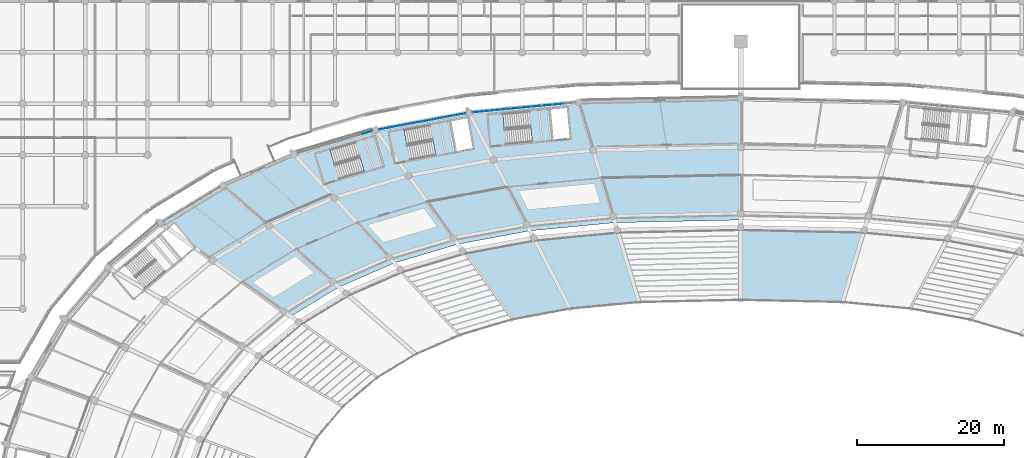
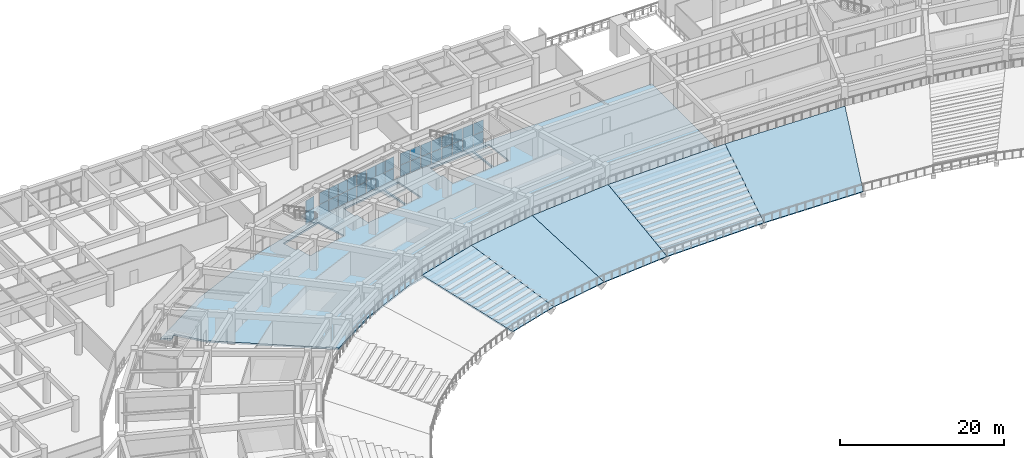
# One storey, part 89 of 152: 34 plates, 9 slabs, 6 elements without a shape of their own.
"""IFC4 building model written with IfcOpenShell, lengths in metres."""

from ifc_helpers import new_model, si_unit, direction, frame, origin, origin_2d, place, context, subcontext, project, spatial, polyline, rectangle, outline, extrude, material, layer, layer_set, type_object, element, aggregate, save


model = new_model("IFC4")

# Units and contexts
model_context = context("Model", 3, precision=1e-05, world=origin(), true_north=direction((0.0, 1.0)))
body_context = subcontext(model_context, "Body", "Model", "MODEL_VIEW")
ifc_project = project(units=[si_unit("LENGTHUNIT", "METRE"), si_unit("AREAUNIT", "SQUARE_METRE"), si_unit("VOLUMEUNIT", "CUBIC_METRE"), si_unit("PLANEANGLEUNIT", "RADIAN"), si_unit("MASSUNIT", "GRAM", prefix="KILO")], contexts=[model_context])

# Site, building, storey
site_placement = place(None, origin())
site = spatial("IfcSite", under=ifc_project, at=site_placement, CompositionType="ELEMENT")
building_placement = place(site_placement, origin())
building = spatial("IfcBuilding", under=site, at=building_placement, Name="Mphavela Belvedere Stadium", CompositionType="ELEMENT")
storey_placement = place(building_placement, frame((0.0, 0.0, 5.39990234375)))
storey = spatial("IfcBuildingStorey", under=building, at=storey_placement, Name="L01", CompositionType="ELEMENT", Elevation=5.39990234375)

# Curtain wall, plates
ifc_material_1 = material(Name="Anodised bronze unitised curtain wall framing")
ifc_layer_1 = layer(ifc_material_1, 0.18505859375)
ifc_layer_set_1 = layer_set([ifc_layer_1], Name="Anodised bronze unitised curtain wall framing")
curtain_wall_type_1 = type_object("IfcCurtainWallType", Name="CW-UNIT-02", PredefinedType="USERDEFINED", material=ifc_layer_set_1)
curtain_wall_1_placement = place(storey_placement, origin())
curtain_wall_1 = element("IfcCurtainWall", 1, at=curtain_wall_1_placement, inside=storey, type_object=curtain_wall_type_1, Name="Belvedere colonnade curtain wall L01-14", ObjectType="UNITISED CURTAIN WALL", PredefinedType="USERDEFINED")
ifc_material_2 = material(Name="Solar-control double glazing", Category="glass")
ifc_layer_2 = layer(ifc_material_2, 0.031982421875)
ifc_layer_set_2 = layer_set([ifc_layer_2], Name="Solar-control double glazing")
plate_type = type_object("IfcPlateType", Name="CWP-SOLAR-GLASS", PredefinedType="CURTAIN_PANEL", material=ifc_layer_set_2)
plate_1_placement = place(storey_placement, frame((90.111572265625, 159.92919921875, 0.06005859375), z_axis=(0.0, 0.0, 1.0), x_axis=(-0.99548468981, -0.094922243726, 0.0)))
plate_1 = element("IfcPlate", 2, at=plate_1_placement, type_object=plate_type, Name="CW-02 panel 2.1", PredefinedType="CURTAIN_PANEL", context=body_context, shape_type="SweptSolid", body=[
    extrude(rectangle(XDim=1.510498046875, YDim=0.031982421875, at=origin_2d()), origin(), (0.0, 0.0, 1.0), 1.695068359375),
])
plate_2_placement = place(storey_placement, frame((90.111572265625, 159.92919921875, 1.81494140625), z_axis=(0.0, 0.0, 1.0), x_axis=(-0.99548468981, -0.094922243726, 0.0)))
plate_2 = element("IfcPlate", 3, at=plate_2_placement, type_object=plate_type, Name="CW-02 panel 2.2", PredefinedType="CURTAIN_PANEL", context=body_context, shape_type="SweptSolid", body=[
    extrude(rectangle(XDim=1.510498046875, YDim=0.031982421875, at=origin_2d()), origin(), (0.0, 0.0, 1.0), 1.695068359375),
])
plate_3_placement = place(storey_placement, frame((88.543212890625, 159.77978515625, 0.06005859375), z_axis=(0.0, 0.0, 1.0), x_axis=(-0.99548468981, -0.094922243726, 0.0)))
plate_3 = element("IfcPlate", 4, at=plate_3_placement, type_object=plate_type, Name="CW-02 panel 3.1", PredefinedType="CURTAIN_PANEL", context=body_context, shape_type="SweptSolid", body=[
    extrude(rectangle(XDim=1.510498046875, YDim=0.031982421875, at=origin_2d()), origin(), (0.0, 0.0, 1.0), 1.695068359375),
])
plate_4_placement = place(storey_placement, frame((88.543212890625, 159.77978515625, 1.81494140625), z_axis=(0.0, 0.0, 1.0), x_axis=(-0.99548468981, -0.094922243726, 0.0)))
plate_4 = element("IfcPlate", 5, at=plate_4_placement, type_object=plate_type, Name="CW-02 panel 3.2", PredefinedType="CURTAIN_PANEL", context=body_context, shape_type="SweptSolid", body=[
    extrude(rectangle(XDim=1.510498046875, YDim=0.031982421875, at=origin_2d()), origin(), (0.0, 0.0, 1.0), 1.695068359375),
])
plate_5_placement = place(storey_placement, frame((86.974853515625, 159.630126953125, 0.06005859375), z_axis=(0.0, 0.0, 1.0), x_axis=(-0.99548468981, -0.094922243726, 0.0)))
plate_5 = element("IfcPlate", 6, at=plate_5_placement, type_object=plate_type, Name="CW-02 panel 4.1", PredefinedType="CURTAIN_PANEL", context=body_context, shape_type="SweptSolid", body=[
    extrude(rectangle(XDim=1.510498046875, YDim=0.031982421875, at=origin_2d()), origin(), (0.0, 0.0, 1.0), 1.695068359375),
])
plate_6_placement = place(storey_placement, frame((86.974853515625, 159.630126953125, 1.81494140625), z_axis=(0.0, 0.0, 1.0), x_axis=(-0.99548468981, -0.094922243726, 0.0)))
plate_6 = element("IfcPlate", 7, at=plate_6_placement, type_object=plate_type, Name="CW-02 panel 4.2", PredefinedType="CURTAIN_PANEL", context=body_context, shape_type="SweptSolid", body=[
    extrude(rectangle(XDim=1.510498046875, YDim=0.031982421875, at=origin_2d()), origin(), (0.0, 0.0, 1.0), 1.695068359375),
])
plate_7_placement = place(storey_placement, frame((85.40625, 159.480712890625, 0.06005859375), z_axis=(0.0, 0.0, 1.0), x_axis=(-0.99548468981, -0.094922243726, 0.0)))
plate_7 = element("IfcPlate", 8, at=plate_7_placement, type_object=plate_type, Name="CW-02 panel 5.1", PredefinedType="CURTAIN_PANEL", context=body_context, shape_type="SweptSolid", body=[
    extrude(rectangle(XDim=1.510498046875, YDim=0.031982421875, at=origin_2d()), origin(), (0.0, 0.0, 1.0), 1.695068359375),
])
plate_8_placement = place(storey_placement, frame((85.40625, 159.480712890625, 1.81494140625), z_axis=(0.0, 0.0, 1.0), x_axis=(-0.99548468981, -0.094922243726, 0.0)))
plate_8 = element("IfcPlate", 9, at=plate_8_placement, type_object=plate_type, Name="CW-02 panel 5.2", PredefinedType="CURTAIN_PANEL", context=body_context, shape_type="SweptSolid", body=[
    extrude(rectangle(XDim=1.510498046875, YDim=0.031982421875, at=origin_2d()), origin(), (0.0, 0.0, 1.0), 1.695068359375),
])
plate_9_placement = place(storey_placement, frame((83.837890625, 159.3310546875, 0.06005859375), z_axis=(0.0, 0.0, 1.0), x_axis=(-0.99548468981, -0.094922243726, 0.0)))
plate_9 = element("IfcPlate", 10, at=plate_9_placement, type_object=plate_type, Name="CW-02 panel 6.1", PredefinedType="CURTAIN_PANEL", context=body_context, shape_type="SweptSolid", body=[
    extrude(rectangle(XDim=1.510498046875, YDim=0.031982421875, at=origin_2d()), origin(), (0.0, 0.0, 1.0), 1.695068359375),
])
plate_10_placement = place(storey_placement, frame((83.837890625, 159.3310546875, 1.81494140625), z_axis=(0.0, 0.0, 1.0), x_axis=(-0.99548468981, -0.094922243726, 0.0)))
plate_10 = element("IfcPlate", 11, at=plate_10_placement, type_object=plate_type, Name="CW-02 panel 6.2", PredefinedType="CURTAIN_PANEL", context=body_context, shape_type="SweptSolid", body=[
    extrude(rectangle(XDim=1.510498046875, YDim=0.031982421875, at=origin_2d()), origin(), (0.0, 0.0, 1.0), 1.695068359375),
])
plate_11_placement = place(storey_placement, frame((82.26953125, 159.181396484375, 0.06005859375), z_axis=(0.0, 0.0, 1.0), x_axis=(-0.99548468981, -0.094922243726, 0.0)))
plate_11 = element("IfcPlate", 12, at=plate_11_placement, type_object=plate_type, Name="CW-02 panel 7.1", PredefinedType="CURTAIN_PANEL", context=body_context, shape_type="SweptSolid", body=[
    extrude(rectangle(XDim=1.510498046875, YDim=0.031982421875, at=origin_2d()), origin(), (0.0, 0.0, 1.0), 1.695068359375),
])
plate_12_placement = place(storey_placement, frame((82.26953125, 159.181396484375, 1.81494140625), z_axis=(0.0, 0.0, 1.0), x_axis=(-0.99548468981, -0.094922243726, 0.0)))
plate_12 = element("IfcPlate", 13, at=plate_12_placement, type_object=plate_type, Name="CW-02 panel 7.2", PredefinedType="CURTAIN_PANEL", context=body_context, shape_type="SweptSolid", body=[
    extrude(rectangle(XDim=1.510498046875, YDim=0.031982421875, at=origin_2d()), origin(), (0.0, 0.0, 1.0), 1.695068359375),
])
plate_13_placement = place(storey_placement, frame((80.700927734375, 159.031982421875, 0.06005859375), z_axis=(0.0, 0.0, 1.0), x_axis=(-0.99548468981, -0.094922243726, 0.0)))
plate_13 = element("IfcPlate", 14, at=plate_13_placement, type_object=plate_type, Name="CW-02 panel 8.1", PredefinedType="CURTAIN_PANEL", context=body_context, shape_type="SweptSolid", body=[
    extrude(rectangle(XDim=1.510498046875, YDim=0.031982421875, at=origin_2d()), origin(), (0.0, 0.0, 1.0), 1.695068359375),
])
plate_14_placement = place(storey_placement, frame((80.700927734375, 159.031982421875, 1.81494140625), z_axis=(0.0, 0.0, 1.0), x_axis=(-0.99548468981, -0.094922243726, 0.0)))
plate_14 = element("IfcPlate", 15, at=plate_14_placement, type_object=plate_type, Name="CW-02 panel 8.2", PredefinedType="CURTAIN_PANEL", context=body_context, shape_type="SweptSolid", body=[
    extrude(rectangle(XDim=1.510498046875, YDim=0.031982421875, at=origin_2d()), origin(), (0.0, 0.0, 1.0), 1.695068359375),
])
plate_15_placement = place(storey_placement, frame((79.148681640625, 158.884033203125, 0.06005859375), z_axis=(0.0, 0.0, 1.0), x_axis=(-0.99548468981, -0.094922243726, 0.0)))
plate_15 = element("IfcPlate", 16, at=plate_15_placement, type_object=plate_type, Name="CW-02 panel 9.1", PredefinedType="CURTAIN_PANEL", context=body_context, shape_type="SweptSolid", body=[
    extrude(rectangle(XDim=1.47802734375, YDim=0.031982421875, at=origin_2d()), origin(), (0.0, 0.0, 1.0), 1.695068359375),
])
plate_16_placement = place(storey_placement, frame((79.148681640625, 158.884033203125, 1.81494140625), z_axis=(0.0, 0.0, 1.0), x_axis=(-0.99548468981, -0.094922243726, 0.0)))
plate_16 = element("IfcPlate", 17, at=plate_16_placement, type_object=plate_type, Name="CW-02 panel 9.2", PredefinedType="CURTAIN_PANEL", context=body_context, shape_type="SweptSolid", body=[
    extrude(rectangle(XDim=1.47802734375, YDim=0.031982421875, at=origin_2d()), origin(), (0.0, 0.0, 1.0), 1.695068359375),
])
aggregate(curtain_wall_1, [plate_1, plate_2, plate_3, plate_4, plate_5, plate_6, plate_7, plate_8, plate_9, plate_10, plate_11, plate_12, plate_13, plate_14, plate_15, plate_16])

ifc_material_3 = material(Name="Anodised bronze unitised curtain wall framing")
ifc_layer_3 = layer(ifc_material_3, 0.18994140625)
ifc_layer_set_3 = layer_set([ifc_layer_3], Name="Anodised bronze unitised curtain wall framing")
curtain_wall_type_2 = type_object("IfcCurtainWallType", Name="CW-UNIT-03", PredefinedType="USERDEFINED", material=ifc_layer_set_3)
curtain_wall_2_placement = place(storey_placement, origin())
curtain_wall_2 = element("IfcCurtainWall", 18, at=curtain_wall_2_placement, inside=storey, type_object=curtain_wall_type_2, Name="Belvedere colonnade curtain wall L01-15", ObjectType="UNITISED CURTAIN WALL", PredefinedType="USERDEFINED")
plate_17_placement = place(storey_placement, frame((76.751953125, 158.548583984375, 0.06005859375), z_axis=(0.0, 0.0, 1.0), x_axis=(-0.983095232437, -0.18309495886, 0.0)))
plate_17 = element("IfcPlate", 19, at=plate_17_placement, type_object=plate_type, Name="CW-03 panel 1.1", PredefinedType="CURTAIN_PANEL", context=body_context, shape_type="SweptSolid", body=[
    extrude(rectangle(XDim=1.415283203125, YDim=0.031982421875, at=origin_2d()), origin(), (0.0, 0.0, 1.0), 1.695068359375),
])
plate_18_placement = place(storey_placement, frame((76.751953125, 158.548583984375, 1.81494140625), z_axis=(0.0, 0.0, 1.0), x_axis=(-0.983095232437, -0.18309495886, 0.0)))
plate_18 = element("IfcPlate", 20, at=plate_18_placement, type_object=plate_type, Name="CW-03 panel 1.2", PredefinedType="CURTAIN_PANEL", context=body_context, shape_type="SweptSolid", body=[
    extrude(rectangle(XDim=1.415283203125, YDim=0.031982421875, at=origin_2d()), origin(), (0.0, 0.0, 1.0), 1.695068359375),
])
plate_19_placement = place(storey_placement, frame((75.28076171875, 158.274658203125, 0.06005859375), z_axis=(0.0, 0.0, 1.0), x_axis=(-0.983095232437, -0.18309495886, 0.0)))
plate_19 = element("IfcPlate", 21, at=plate_19_placement, type_object=plate_type, Name="CW-03 panel 2.1", PredefinedType="CURTAIN_PANEL", context=body_context, shape_type="SweptSolid", body=[
    extrude(rectangle(XDim=1.44775390625, YDim=0.031982421875, at=origin_2d()), origin(), (0.0, 0.0, 1.0), 1.695068359375),
])
plate_20_placement = place(storey_placement, frame((75.28076171875, 158.274658203125, 1.81494140625), z_axis=(0.0, 0.0, 1.0), x_axis=(-0.983095232437, -0.18309495886, 0.0)))
plate_20 = element("IfcPlate", 22, at=plate_20_placement, type_object=plate_type, Name="CW-03 panel 2.2", PredefinedType="CURTAIN_PANEL", context=body_context, shape_type="SweptSolid", body=[
    extrude(rectangle(XDim=1.44775390625, YDim=0.031982421875, at=origin_2d()), origin(), (0.0, 0.0, 1.0), 1.695068359375),
])
plate_21_placement = place(storey_placement, frame((73.793701171875, 157.99755859375, 0.06005859375), z_axis=(0.0, 0.0, 1.0), x_axis=(-0.983095232437, -0.18309495886, 0.0)))
plate_21 = element("IfcPlate", 23, at=plate_21_placement, type_object=plate_type, Name="CW-03 panel 3.1", PredefinedType="CURTAIN_PANEL", context=body_context, shape_type="SweptSolid", body=[
    extrude(rectangle(XDim=1.44775390625, YDim=0.031982421875, at=origin_2d()), origin(), (0.0, 0.0, 1.0), 1.695068359375),
])
plate_22_placement = place(storey_placement, frame((73.793701171875, 157.99755859375, 1.81494140625), z_axis=(0.0, 0.0, 1.0), x_axis=(-0.983095232437, -0.18309495886, 0.0)))
plate_22 = element("IfcPlate", 24, at=plate_22_placement, type_object=plate_type, Name="CW-03 panel 3.2", PredefinedType="CURTAIN_PANEL", context=body_context, shape_type="SweptSolid", body=[
    extrude(rectangle(XDim=1.44775390625, YDim=0.031982421875, at=origin_2d()), origin(), (0.0, 0.0, 1.0), 1.695068359375),
])
plate_23_placement = place(storey_placement, frame((72.306640625, 157.720703125, 0.06005859375), z_axis=(0.0, 0.0, 1.0), x_axis=(-0.983095232437, -0.18309495886, 0.0)))
plate_23 = element("IfcPlate", 25, at=plate_23_placement, type_object=plate_type, Name="CW-03 panel 4.1", PredefinedType="CURTAIN_PANEL", context=body_context, shape_type="SweptSolid", body=[
    extrude(rectangle(XDim=1.44775390625, YDim=0.031982421875, at=origin_2d()), origin(), (0.0, 0.0, 1.0), 1.695068359375),
])
plate_24_placement = place(storey_placement, frame((72.306640625, 157.720703125, 1.81494140625), z_axis=(0.0, 0.0, 1.0), x_axis=(-0.983095232437, -0.18309495886, 0.0)))
plate_24 = element("IfcPlate", 26, at=plate_24_placement, type_object=plate_type, Name="CW-03 panel 4.2", PredefinedType="CURTAIN_PANEL", context=body_context, shape_type="SweptSolid", body=[
    extrude(rectangle(XDim=1.44775390625, YDim=0.031982421875, at=origin_2d()), origin(), (0.0, 0.0, 1.0), 1.695068359375),
])
plate_25_placement = place(storey_placement, frame((70.8193359375, 157.443603515625, 0.06005859375), z_axis=(0.0, 0.0, 1.0), x_axis=(-0.983095232437, -0.18309495886, 0.0)))
plate_25 = element("IfcPlate", 27, at=plate_25_placement, type_object=plate_type, Name="CW-03 panel 5.1", PredefinedType="CURTAIN_PANEL", context=body_context, shape_type="SweptSolid", body=[
    extrude(rectangle(XDim=1.44775390625, YDim=0.031982421875, at=origin_2d()), origin(), (0.0, 0.0, 1.0), 1.695068359375),
])
plate_26_placement = place(storey_placement, frame((70.8193359375, 157.443603515625, 1.81494140625), z_axis=(0.0, 0.0, 1.0), x_axis=(-0.983095232437, -0.18309495886, 0.0)))
plate_26 = element("IfcPlate", 28, at=plate_26_placement, type_object=plate_type, Name="CW-03 panel 5.2", PredefinedType="CURTAIN_PANEL", context=body_context, shape_type="SweptSolid", body=[
    extrude(rectangle(XDim=1.44775390625, YDim=0.031982421875, at=origin_2d()), origin(), (0.0, 0.0, 1.0), 1.695068359375),
])
plate_27_placement = place(storey_placement, frame((69.332275390625, 157.166748046875, 0.06005859375), z_axis=(0.0, 0.0, 1.0), x_axis=(-0.983095232437, -0.18309495886, 0.0)))
plate_27 = element("IfcPlate", 29, at=plate_27_placement, type_object=plate_type, Name="CW-03 panel 6.1", PredefinedType="CURTAIN_PANEL", context=body_context, shape_type="SweptSolid", body=[
    extrude(rectangle(XDim=1.44775390625, YDim=0.031982421875, at=origin_2d()), origin(), (0.0, 0.0, 1.0), 1.695068359375),
])
plate_28_placement = place(storey_placement, frame((69.332275390625, 157.166748046875, 1.81494140625), z_axis=(0.0, 0.0, 1.0), x_axis=(-0.983095232437, -0.18309495886, 0.0)))
plate_28 = element("IfcPlate", 30, at=plate_28_placement, type_object=plate_type, Name="CW-03 panel 6.2", PredefinedType="CURTAIN_PANEL", context=body_context, shape_type="SweptSolid", body=[
    extrude(rectangle(XDim=1.44775390625, YDim=0.031982421875, at=origin_2d()), origin(), (0.0, 0.0, 1.0), 1.695068359375),
])
plate_29_placement = place(storey_placement, frame((67.84521484375, 156.8896484375, 0.06005859375), z_axis=(0.0, 0.0, 1.0), x_axis=(-0.983095232437, -0.18309495886, 0.0)))
plate_29 = element("IfcPlate", 31, at=plate_29_placement, type_object=plate_type, Name="CW-03 panel 7.1", PredefinedType="CURTAIN_PANEL", context=body_context, shape_type="SweptSolid", body=[
    extrude(rectangle(XDim=1.44775390625, YDim=0.031982421875, at=origin_2d()), origin(), (0.0, 0.0, 1.0), 1.695068359375),
])
plate_30_placement = place(storey_placement, frame((67.84521484375, 156.8896484375, 1.81494140625), z_axis=(0.0, 0.0, 1.0), x_axis=(-0.983095232437, -0.18309495886, 0.0)))
plate_30 = element("IfcPlate", 32, at=plate_30_placement, type_object=plate_type, Name="CW-03 panel 7.2", PredefinedType="CURTAIN_PANEL", context=body_context, shape_type="SweptSolid", body=[
    extrude(rectangle(XDim=1.44775390625, YDim=0.031982421875, at=origin_2d()), origin(), (0.0, 0.0, 1.0), 1.695068359375),
])
plate_31_placement = place(storey_placement, frame((66.3740234375, 156.61572265625, 0.06005859375), z_axis=(0.0, 0.0, 1.0), x_axis=(-0.983095232437, -0.18309495886, 0.0)))
plate_31 = element("IfcPlate", 33, at=plate_31_placement, type_object=plate_type, Name="CW-03 panel 8.1", PredefinedType="CURTAIN_PANEL", context=body_context, shape_type="SweptSolid", body=[
    extrude(rectangle(XDim=1.415283203125, YDim=0.031982421875, at=origin_2d()), origin(), (0.0, 0.0, 1.0), 1.695068359375),
])
plate_32_placement = place(storey_placement, frame((66.3740234375, 156.61572265625, 1.81494140625), z_axis=(0.0, 0.0, 1.0), x_axis=(-0.983095232437, -0.18309495886, 0.0)))
plate_32 = element("IfcPlate", 34, at=plate_32_placement, type_object=plate_type, Name="CW-03 panel 8.2", PredefinedType="CURTAIN_PANEL", context=body_context, shape_type="SweptSolid", body=[
    extrude(rectangle(XDim=1.415283203125, YDim=0.031982421875, at=origin_2d()), origin(), (0.0, 0.0, 1.0), 1.695068359375),
])
aggregate(curtain_wall_2, [plate_17, plate_18, plate_19, plate_20, plate_21, plate_22, plate_23, plate_24, plate_25, plate_26, plate_27, plate_28, plate_29, plate_30, plate_31, plate_32])

ifc_material_4 = material(Name="Anodised bronze unitised curtain wall framing")
ifc_layer_4 = layer(ifc_material_4, 0.195068359375)
ifc_layer_set_4 = layer_set([ifc_layer_4], Name="Anodised bronze unitised curtain wall framing")
curtain_wall_type_3 = type_object("IfcCurtainWallType", Name="CW-UNIT-04", PredefinedType="USERDEFINED", material=ifc_layer_set_4)
curtain_wall_3_placement = place(storey_placement, origin())
curtain_wall_3 = element("IfcCurtainWall", 35, at=curtain_wall_3_placement, inside=storey, type_object=curtain_wall_type_3, Name="Belvedere colonnade curtain wall L01-16", ObjectType="UNITISED CURTAIN WALL", PredefinedType="USERDEFINED")
plate_33_placement = place(storey_placement, frame((64.040283203125, 156.052978515625, 0.06005859375), z_axis=(0.0, 0.0, 1.0), x_axis=(-0.958660876219, -0.28455109279, 0.0)))
plate_33 = element("IfcPlate", 36, at=plate_33_placement, type_object=plate_type, Name="CW-04 panel 1.1", PredefinedType="CURTAIN_PANEL", context=body_context, shape_type="SweptSolid", body=[
    extrude(rectangle(XDim=1.441162109375, YDim=0.031982421875, at=origin_2d()), origin(), (0.0, 0.0, 1.0), 1.695068359375),
])
plate_34_placement = place(storey_placement, frame((64.040283203125, 156.052978515625, 1.81494140625), z_axis=(0.0, 0.0, 1.0), x_axis=(-0.958660876219, -0.28455109279, 0.0)))
plate_34 = element("IfcPlate", 37, at=plate_34_placement, type_object=plate_type, Name="CW-04 panel 1.2", PredefinedType="CURTAIN_PANEL", context=body_context, shape_type="SweptSolid", body=[
    extrude(rectangle(XDim=1.441162109375, YDim=0.031982421875, at=origin_2d()), origin(), (0.0, 0.0, 1.0), 1.695068359375),
])
aggregate(curtain_wall_3, [plate_33, plate_34])

# Slab
ifc_material_5 = material(Name="Concrete C40/50", Category="concrete")
ifc_layer_5 = layer(ifc_material_5, 0.25)
ifc_layer_set_5 = layer_set([ifc_layer_5], Name="Concrete C40/50")
slab_type_1 = type_object("IfcSlabType", Name="SLB-CONCOURSE-250", PredefinedType="FLOOR", material=ifc_layer_set_5)
slab_1_placement = place(storey_placement, frame((0.0, 0.0, -0.25)))
element("IfcSlab", 38, at=slab_1_placement, inside=storey, type_object=slab_type_1, Name="Concourse sector slab L01-S3", PredefinedType="FLOOR", context=body_context, shape_type="SweptSolid", body=[
    extrude(outline(polyline([(77.92724609375, 158.767333984375), (92.885498046875, 160.19384765625), (115.0, 160.669921875), (115.0, 144.12890625), (97.8505859375, 143.759765625), (86.251220703125, 142.653564453125), (76.380615234375, 140.815185546875), (67.74462890625, 138.251953125), (60.177001953125, 134.971435546875), (53.6171875, 130.98046875), (40.40087890625, 140.449951171875), (37.727294921875, 143.617919921875), (36.924560546875, 142.940673828125), (35.844482421875, 143.714599609375), (44.3037109375, 148.86083984375), (54.0625, 153.09130859375), (65.19873046875, 156.39697265625), (77.92724609375, 158.767333984375)]), holes=[polyline([(70.1708984375, 152.37158203125), (76.0302734375, 153.462890625), (75.262939453125, 157.58203125), (69.073486328125, 156.429443359375), (69.45703125, 154.369873046875), (69.787353515625, 154.431396484375), (70.1708984375, 152.37158203125)]), polyline([(77.701171875, 158.0361328125), (75.479248046875, 157.622314453125), (76.246337890625, 153.503173828125), (78.46826171875, 153.9169921875), (77.701171875, 158.0361328125)]), polyline([(82.7578125, 156.5283203125), (83.09228515625, 156.56005859375), (83.291259765625, 154.474609375), (89.224365234375, 155.04052734375), (88.826416015625, 159.211669921875), (82.558837890625, 158.61376953125), (82.7578125, 156.5283203125)]), polyline([(89.443359375, 155.0615234375), (91.693115234375, 155.276123046875), (91.295166015625, 159.447265625), (89.04541015625, 159.232421875), (89.443359375, 155.0615234375)]), polyline([(66.2001953125, 151.490234375), (65.008056640625, 155.507080078125), (58.97216796875, 153.7158203125), (59.568359375, 151.707275390625), (59.890380859375, 151.802978515625), (60.486572265625, 149.79443359375), (66.2001953125, 151.490234375)])]), origin(), (0.0, 0.0, 1.0), 0.25),
])

# Stair, slab
ifc_material_6 = material(Name="Concrete C40/50", Category="concrete")
stair_type_1 = type_object("IfcStairType", Name="STR-HALF-TURN-2", PredefinedType="HALF_TURN_STAIR", material=ifc_material_6)
stair_1_placement = place(storey_placement, origin())
stair_1 = element("IfcStair", 39, at=stair_1_placement, inside=storey, type_object=stair_type_1, Name="L01 Escape stair core C02", PredefinedType="HALF_TURN_STAIR")
ifc_material_7 = material(Name="Concrete C40/50", Category="concrete")
ifc_layer_6 = layer(ifc_material_7, 0.199951171875)
ifc_layer_set_6 = layer_set([ifc_layer_6], Name="Concrete C40/50")
slab_type_2 = type_object("IfcSlabType", Name="SLB-LANDING-200", PredefinedType="LANDING", material=ifc_layer_set_6)
slab_2_placement = place(storey_placement, frame((0.0, 0.0, 2.2001953125)))
slab_2 = element("IfcSlab", 40, at=slab_2_placement, type_object=slab_type_2, Name="ST-C02 landing 1", PredefinedType="LANDING", context=body_context, shape_type="SweptSolid", body=[
    extrude(outline(polyline([(73.41650390625, 152.85400390625), (76.052001953125, 153.344970703125), (75.240966796875, 157.7001953125), (72.25634765625, 157.144287109375), (72.661865234375, 154.966796875), (73.010986328125, 155.031494140625), (73.41650390625, 152.85400390625)])), origin(), (0.0, 0.0, 1.0), 0.199951171875),
])
aggregate(stair_1, [slab_2])

ifc_material_8 = material(Name="Concrete C40/50", Category="concrete")
stair_type_2 = type_object("IfcStairType", Name="STR-HALF-TURN-1", PredefinedType="HALF_TURN_STAIR", material=ifc_material_8)
stair_2_placement = place(storey_placement, origin())
stair_2 = element("IfcStair", 41, at=stair_2_placement, inside=storey, type_object=stair_type_2, Name="L01 Escape stair core C04", PredefinedType="HALF_TURN_STAIR")
slab_3_placement = place(storey_placement, frame((0.0, 0.0, 2.2001953125)))
slab_3 = element("IfcSlab", 42, at=slab_3_placement, type_object=slab_type_2, Name="ST-C04 landing 1", PredefinedType="LANDING", context=body_context, shape_type="SweptSolid", body=[
    extrude(outline(polyline([(86.56689453125, 154.66650390625), (89.23583984375, 154.921142578125), (88.81494140625, 159.3310546875), (85.792724609375, 159.042724609375), (86.003173828125, 156.837890625), (86.3564453125, 156.87158203125), (86.56689453125, 154.66650390625)])), origin(), (0.0, 0.0, 1.0), 0.199951171875),
])
aggregate(stair_2, [slab_3])

ifc_material_9 = material(Name="Precast concrete C45/55", Category="concrete")
stair_type_3 = type_object("IfcStairType", Name="STR-TWO-RET-1", PredefinedType="TWO_STRAIGHT_RUN_STAIR", material=ifc_material_9)
stair_3_placement = place(storey_placement, origin())
stair_3 = element("IfcStair", 43, at=stair_3_placement, inside=storey, type_object=stair_type_3, Name="L01 Escape stair core P03", PredefinedType="TWO_STRAIGHT_RUN_STAIR")
slab_4_placement = place(storey_placement, frame((0.0, 0.0, 2.2001953125)))
slab_4 = element("IfcSlab", 44, at=slab_4_placement, type_object=slab_type_2, Name="ST-P03 landing 1", PredefinedType="LANDING", context=body_context, shape_type="SweptSolid", body=[
    extrude(outline(polyline([(63.6640625, 150.6123046875), (66.234375, 151.375), (64.973876953125, 155.6220703125), (62.063232421875, 154.75830078125), (62.693603515625, 152.634765625), (63.033935546875, 152.73583984375), (63.6640625, 150.6123046875)])), origin(), (0.0, 0.0, 1.0), 0.199951171875),
])
aggregate(stair_3, [slab_4])

# Slabs
ifc_material_10 = material(Name="Precast concrete C45/55", Category="concrete")
ifc_layer_7 = layer(ifc_material_10, 0.25)
ifc_layer_set_7 = layer_set([ifc_layer_7], Name="Precast concrete C45/55")
slab_type_3 = type_object("IfcSlabType", Name="SLB-TIER-LOWER", PredefinedType="USERDEFINED", material=ifc_layer_set_7)
slab_5_placement = place(storey_placement, frame((128.873779296875, 132.918701171875, -4.099853515625), z_axis=(-0.011481692617, -0.533094988204, 0.845977484504), x_axis=(-0.99976812289, 0.021533705044, 5.67345e-07)))
element("IfcSlab", 45, at=slab_5_placement, inside=storey, type_object=slab_type_3, Name="Lower seating tier slab L01-12", ObjectType="SEATING TIER", PredefinedType="USERDEFINED", context=body_context, shape_type="SweptSolid", body=[
    extrude(outline(polyline([(0.0, 0.0), (13.876997161727815, -5.551115123125783e-17), (14.08203340191181, -11.252405291469632), (-2.6537801436887887, -11.252437863531949), (0.0, 0.0)])), origin(), (0.0, 0.0, -1.0), 0.25),
])
slab_6_placement = place(storey_placement, frame((115.0, 133.217529296875, -4.099853515625), z_axis=(0.011481692617, -0.533094988204, 0.845977484504), x_axis=(-0.99976812289, -0.021533705044, -5.67345e-07)))
element("IfcSlab", 46, at=slab_6_placement, inside=storey, type_object=slab_type_3, Name="Lower seating tier slab L01-13", ObjectType="SEATING TIER", PredefinedType="USERDEFINED", context=body_context, shape_type="SweptSolid", body=[
    extrude(outline(polyline([(0.0, 0.0), (13.876997161727815, 5.551115123125783e-17), (16.530777305416603, -11.252437863531949), (-0.20503624018399616, -11.252405291469632), (0.0, 0.0)])), origin(), (0.0, 0.0, -1.0), 0.25),
])
slab_7_placement = place(storey_placement, frame((101.126220703125, 132.918701171875, -4.099853515625), z_axis=(0.049974089428, -0.524125282997, 0.850173675262), x_axis=(-0.995485126826, -0.094917660464, -3.32756e-07)))
element("IfcSlab", 47, at=slab_7_placement, inside=storey, type_object=slab_type_3, Name="Lower seating tier slab L01-14", ObjectType="SEATING TIER", PredefinedType="USERDEFINED", context=body_context, shape_type="SweptSolid", body=[
    extrude(outline(polyline([(0.0, 0.0), (9.426838508432935, 1.1102230246251565e-16), (13.316285834428676, -11.395969001676475), (1.9473307359112653, -11.395955858493513), (0.0, 0.0)])), origin(), (0.0, 0.0, -1.0), 0.25),
])
slab_8_placement = place(storey_placement, frame((91.741943359375, 132.02392578125, -4.099853515625), z_axis=(0.094235956026, -0.505938886763, 0.857406220792), x_axis=(-0.983092331305, -0.183110535279, -1.10416e-07)))
element("IfcSlab", 48, at=slab_8_placement, inside=storey, type_object=slab_type_3, Name="Lower seating tier slab L01-15", ObjectType="SEATING TIER", PredefinedType="USERDEFINED", context=body_context, shape_type="SweptSolid", body=[
    extrude(outline(polyline([(0.0, 0.0), (8.122439028539493, 0.0), (12.807773174986158, -11.658632563189693), (3.012023636167066, -11.658628718852402), (0.0, 0.0)])), origin(), (0.0, 0.0, -1.0), 0.25),
])
slab_9_placement = place(storey_placement, frame((83.7568359375, 130.53662109375, -4.099853515625), z_axis=(0.141887406626, -0.478031379031, 0.866806763069), x_axis=(-0.958662176806, -0.284546711036, -1.92175e-07)))
element("IfcSlab", 49, at=slab_9_placement, inside=storey, type_object=slab_type_3, Name="Lower seating tier slab L01-16", ObjectType="SEATING TIER", PredefinedType="USERDEFINED", context=body_context, shape_type="SweptSolid", body=[
    extrude(outline(polyline([(0.0, 0.0), (7.2878357610349545, -4.440892098500626e-16), (12.407639661217203, -12.032632520277364), (3.6182831631799024, -12.032626324222552), (0.0, 0.0)])), origin(), (0.0, 0.0, -1.0), 0.25),
])

save(model, "model.ifc")
